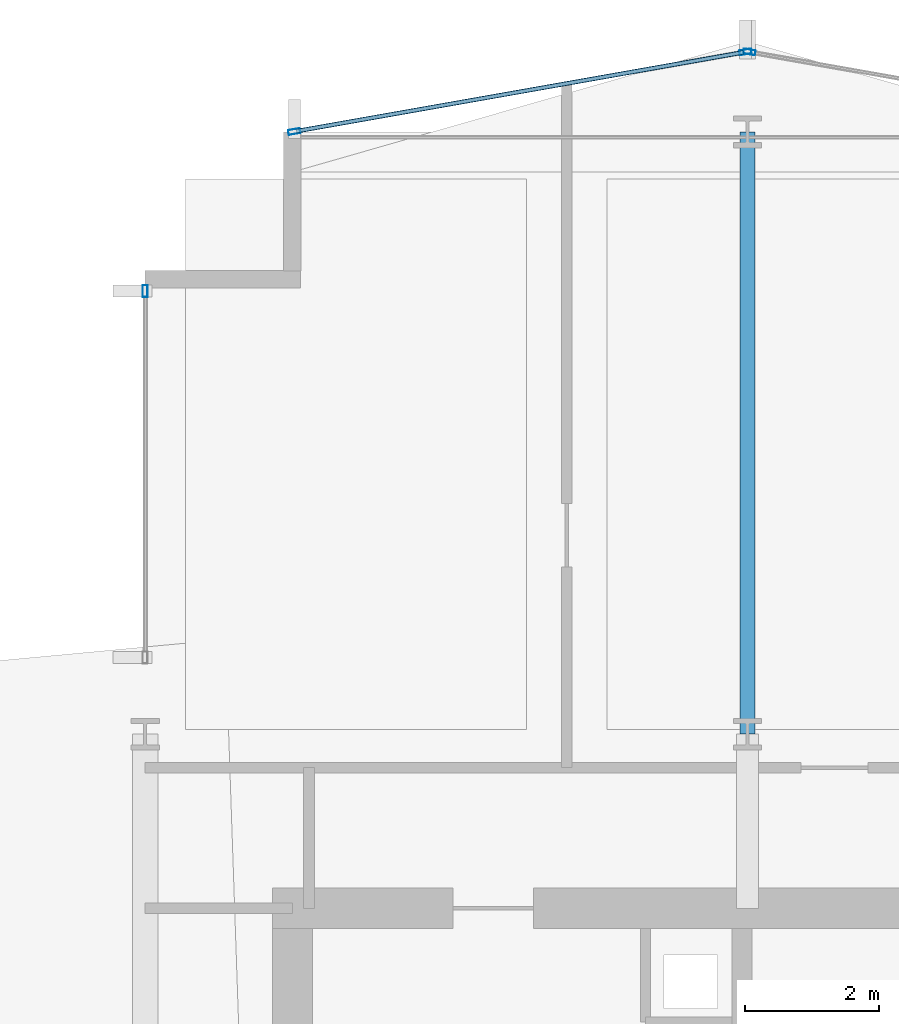
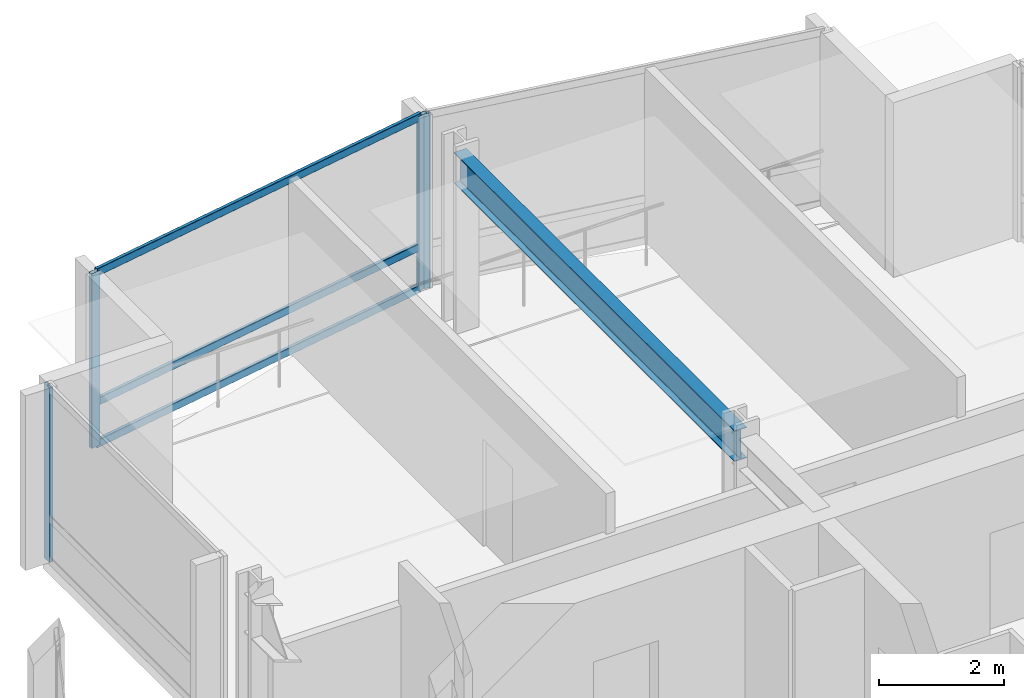
# One storey, part 23 of 34: 7 members, 1 beam, 3 elements without a shape of their own.
"""IFC4 building model written with IfcOpenShell, lengths in metres."""

from ifc_helpers import new_model, si_unit, direction, frame, origin, origin_2d, place, context, subcontext, project, spatial, hollow_rectangle, i_section, extrude, material, layer, layer_set, material_profile, profile_set, type_object, element, aggregate, save


model = new_model("IFC4")

# Units and contexts
model_context = context("Model", 3, precision=1e-05, world=origin(), true_north=direction((0.0, 1.0)))
body_context = subcontext(model_context, "Body", "Model", "MODEL_VIEW")
ifc_project = project(units=[si_unit("LENGTHUNIT", "METRE"), si_unit("AREAUNIT", "SQUARE_METRE"), si_unit("VOLUMEUNIT", "CUBIC_METRE"), si_unit("PLANEANGLEUNIT", "RADIAN"), si_unit("MASSUNIT", "GRAM", prefix="KILO")], contexts=[model_context])

# Site, building, storey
site_placement = place(None, origin())
site = spatial("IfcSite", under=ifc_project, at=site_placement, CompositionType="ELEMENT")
building_placement = place(site_placement, origin())
building = spatial("IfcBuilding", under=site, at=building_placement, Name="Solvaryn Broadcast Tower", CompositionType="ELEMENT")
storey_placement = place(building_placement, frame((0.0, 0.0, 92.800048828125)))
storey = spatial("IfcBuildingStorey", under=building, at=storey_placement, Name="L22", CompositionType="ELEMENT", Elevation=92.800048828125)

# Beam
ifc_material_1 = material(Name="Steel ASTM A992 Grade 50", Category="steel")
ifc_material_profile_1 = material_profile(ifc_material_1, i_section(OverallWidth=0.22802734375, OverallDepth=0.60791015625, WebThickness=0.01123046875, FlangeThickness=0.017333984375, FilletRadius=0.014892578125, at=origin_2d()))
ifc_profile_set_1 = profile_set([ifc_material_profile_1], Name="Steel ASTM A992 Grade 50")
beam_type = type_object("IfcBeamType", Name="BM-B2-W24X76", PredefinedType="BEAM", material=ifc_profile_set_1)
beam_placement = place(storey_placement, frame((18.0, 45.0, 3.115966796875), z_axis=(0.0, 1.0, 0.0), x_axis=(-1.0, 0.0, 0.0)))
element("IfcBeam", 1, at=beam_placement, inside=storey, type_object=beam_type, Name="L22 Primary Beam Y (45-54 @ X=18)", PredefinedType="BEAM", context=body_context, shape_type="SweptSolid", body=[
    extrude(i_section(OverallWidth=0.22802734375, OverallDepth=0.60791015625, WebThickness=0.01123046875, FlangeThickness=0.017333984375, FilletRadius=0.014892578125, at=origin_2d()), origin(), (0.0, 0.0, 1.0), 9.0),
])

# Curtain wall, member
ifc_material_2 = material(Name="Aluminium and Terracotta Unitised Curtain Wall", Category="masonry")
ifc_layer = layer(ifc_material_2, 0.199951171875)
ifc_layer_set = layer_set([ifc_layer], Name="CW-SYS2-LOWMID")
curtain_wall_type = type_object("IfcCurtainWallType", Name="CW-SYS2-LOWMID", PredefinedType="NOTDEFINED", material=ifc_layer_set)
curtain_wall_1_placement = place(storey_placement, origin())
curtain_wall_1 = element("IfcCurtainWall", 2, at=curtain_wall_1_placement, inside=storey, type_object=curtain_wall_type, Name="L22 Curtain Wall W2", PredefinedType="NOTDEFINED")
ifc_material_3 = material(Name="Anodised Aluminium 6063-T6", Category="aluminium")
ifc_material_profile_2 = material_profile(ifc_material_3, hollow_rectangle(XDim=0.074951171875, YDim=0.179931640625, WallThickness=0.00390625, InnerFilletRadius=0.00390625, OuterFilletRadius=0.008056640625, at=origin_2d()))
ifc_profile_set_2 = profile_set([ifc_material_profile_2], Name="Anodised Aluminium 6063-T6")
member_type_1 = type_object("IfcMemberType", Name="CW-MUL-180", PredefinedType="MULLION", material=ifc_profile_set_2)
member_1_placement = place(storey_placement, frame((9.0, 51.6201171875, 0.0), z_axis=(0.0, 0.0, 1.0), x_axis=(-1.0, 0.0, 0.0)))
member_1 = element("IfcMember", 3, at=member_1_placement, type_object=member_type_1, Name="CWS2 mullion 2", PredefinedType="MULLION", context=body_context, shape_type="SweptSolid", body=[
    extrude(hollow_rectangle(XDim=0.074951171875, YDim=0.179931640625, WallThickness=0.00390625, InnerFilletRadius=0.00390625, OuterFilletRadius=0.008056640625, at=origin_2d()), origin(), (0.0, 0.0, 1.0), 3.419921875),
])
aggregate(curtain_wall_1, [member_1])

curtain_wall_2_placement = place(storey_placement, origin())
curtain_wall_2 = element("IfcCurtainWall", 4, at=curtain_wall_2_placement, inside=storey, type_object=curtain_wall_type, Name="L22 Curtain Wall NT1", PredefinedType="NOTDEFINED")
member_2_placement = place(storey_placement, frame((18.029541015625, 55.19482421875, 0.0), z_axis=(0.0, 0.0, 1.0), x_axis=(-0.173785333901, -0.984783558819, 0.0)))
member_2 = element("IfcMember", 5, at=member_2_placement, type_object=member_type_1, Name="CWS2 mullion 2", PredefinedType="MULLION", context=body_context, shape_type="SweptSolid", body=[
    extrude(hollow_rectangle(XDim=0.074951171875, YDim=0.179931640625, WallThickness=0.00390625, InnerFilletRadius=0.00390625, OuterFilletRadius=0.008056640625, at=origin_2d()), origin(), (0.0, 0.0, 1.0), 3.419921875),
])
aggregate(curtain_wall_2, [member_2])

# Curtain wall, members
curtain_wall_3_placement = place(storey_placement, origin())
curtain_wall_3 = element("IfcCurtainWall", 6, at=curtain_wall_3_placement, inside=storey, type_object=curtain_wall_type, Name="L22 Curtain Wall NT2", PredefinedType="NOTDEFINED")
member_3_placement = place(storey_placement, frame((17.970458984375, 55.19482421875, 0.0), z_axis=(0.0, 0.0, 1.0), x_axis=(0.173785333901, -0.984783558819, 0.0)))
member_3 = element("IfcMember", 7, at=member_3_placement, type_object=member_type_1, Name="CWS2 mullion 1", PredefinedType="MULLION", context=body_context, shape_type="SweptSolid", body=[
    extrude(hollow_rectangle(XDim=0.074951171875, YDim=0.179931640625, WallThickness=0.00390625, InnerFilletRadius=0.00390625, OuterFilletRadius=0.008056640625, at=origin_2d()), origin(), (0.0, 0.0, 1.0), 3.419921875),
])
member_4_placement = place(storey_placement, frame((11.2294921875, 54.005126953125, 0.0), z_axis=(0.0, 0.0, 1.0), x_axis=(0.173785333901, -0.984783558819, 0.0)))
member_4 = element("IfcMember", 8, at=member_4_placement, type_object=member_type_1, Name="CWS2 mullion 2", PredefinedType="MULLION", context=body_context, shape_type="SweptSolid", body=[
    extrude(hollow_rectangle(XDim=0.074951171875, YDim=0.179931640625, WallThickness=0.00390625, InnerFilletRadius=0.00390625, OuterFilletRadius=0.008056640625, at=origin_2d()), origin(), (0.0, 0.0, 1.0), 3.419921875),
])
ifc_material_4 = material(Name="Anodised Aluminium 6063-T6", Category="aluminium")
ifc_material_profile_3 = material_profile(ifc_material_4, hollow_rectangle(XDim=0.06494140625, YDim=0.14990234375, WallThickness=0.00390625, InnerFilletRadius=0.00390625, OuterFilletRadius=0.008056640625, at=origin_2d()))
ifc_profile_set_3 = profile_set([ifc_material_profile_3], Name="Anodised Aluminium 6063-T6")
member_type_2 = type_object("IfcMemberType", Name="CW-TRN-150", PredefinedType="USERDEFINED", material=ifc_profile_set_3)
member_5_placement = place(storey_placement, frame((17.94091796875, 55.189453125, 0.030029296875), z_axis=(-0.984788629673, -0.173756596613, 0.0), x_axis=(0.173756596613, -0.984788629673, 0.0)))
member_5 = element("IfcMember", 9, at=member_5_placement, type_object=member_type_2, Name="CWS2 transom 1.1", ObjectType="TRANSOM", PredefinedType="USERDEFINED", context=body_context, shape_type="SweptSolid", body=[
    extrude(hollow_rectangle(XDim=0.06494140625, YDim=0.14990234375, WallThickness=0.00390625, InnerFilletRadius=0.00390625, OuterFilletRadius=0.008056640625, at=origin_2d()), origin(), (0.0, 0.0, 1.0), 6.78515625),
])
member_6_placement = place(storey_placement, frame((17.94091796875, 55.189453125, 0.849853515625), z_axis=(-0.984788629673, -0.173756596613, 0.0), x_axis=(0.173756596613, -0.984788629673, 0.0)))
member_6 = element("IfcMember", 10, at=member_6_placement, type_object=member_type_2, Name="CWS2 transom 1.2", ObjectType="TRANSOM", PredefinedType="USERDEFINED", context=body_context, shape_type="SweptSolid", body=[
    extrude(hollow_rectangle(XDim=0.06494140625, YDim=0.14990234375, WallThickness=0.00390625, InnerFilletRadius=0.00390625, OuterFilletRadius=0.008056640625, at=origin_2d()), origin(), (0.0, 0.0, 1.0), 6.78515625),
])
member_7_placement = place(storey_placement, frame((17.94091796875, 55.189453125, 3.389892578125), z_axis=(-0.984788629673, -0.173756596613, 0.0), x_axis=(0.173756596613, -0.984788629673, 0.0)))
member_7 = element("IfcMember", 11, at=member_7_placement, type_object=member_type_2, Name="CWS2 transom 1.3", ObjectType="TRANSOM", PredefinedType="USERDEFINED", context=body_context, shape_type="SweptSolid", body=[
    extrude(hollow_rectangle(XDim=0.06494140625, YDim=0.14990234375, WallThickness=0.00390625, InnerFilletRadius=0.00390625, OuterFilletRadius=0.008056640625, at=origin_2d()), origin(), (0.0, 0.0, 1.0), 6.78515625),
])
aggregate(curtain_wall_3, [member_3, member_4, member_5, member_6, member_7])

save(model, "model.ifc")
